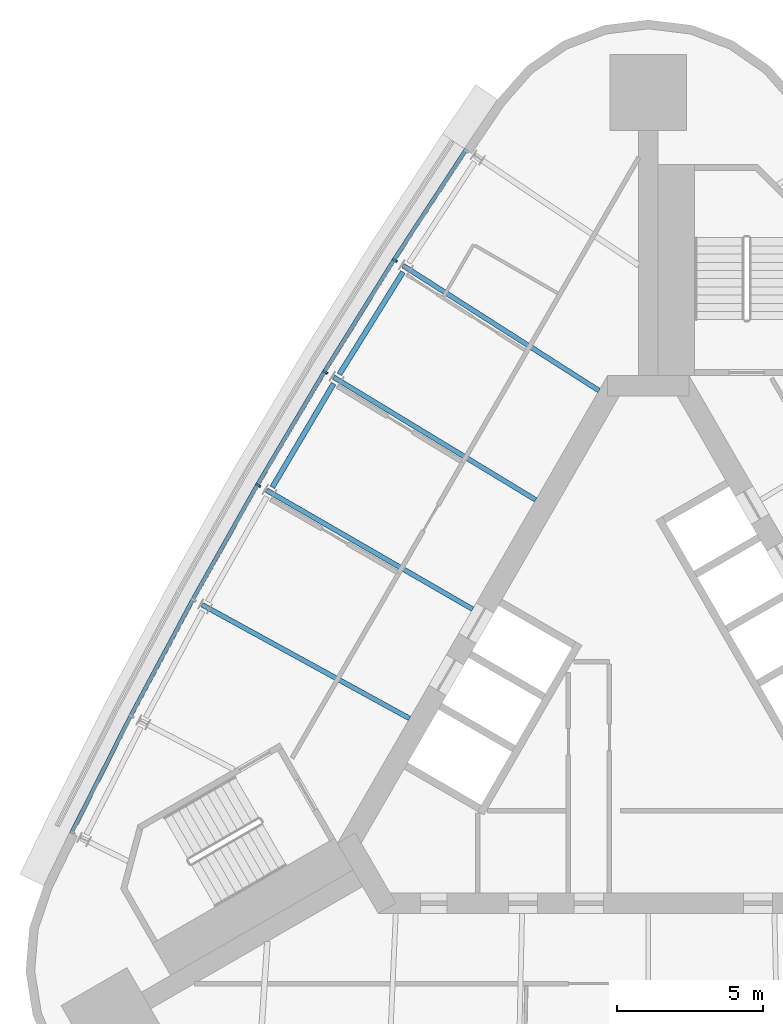
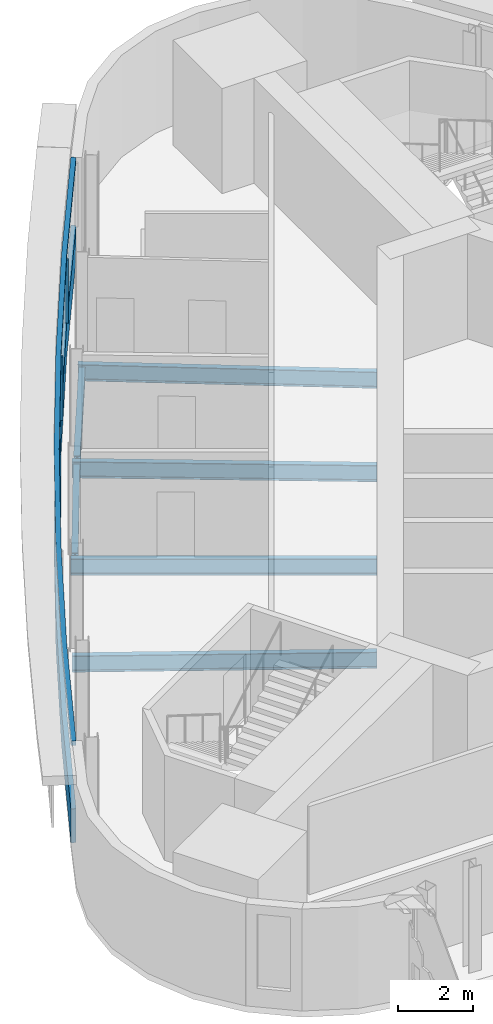
# One storey, part 6 of 14: 6 beams, 5 members, 1 element without a shape of its own.
"""IFC4 building model written with IfcOpenShell, lengths in metres."""

from ifc_helpers import new_model, si_unit, direction, frame, origin, origin_2d, place, context, subcontext, project, spatial, polyline, rectangle, i_section, outline, extrude, material, material_profile, profile_set, type_object, element, aggregate, save


model = new_model("IFC4")

# Units and contexts
model_context = context("Model", 3, precision=1e-05, world=origin(), true_north=direction((0.0, 1.0)))
body_context = subcontext(model_context, "Body", "Model", "MODEL_VIEW")
ifc_project = project(units=[si_unit("LENGTHUNIT", "METRE"), si_unit("AREAUNIT", "SQUARE_METRE"), si_unit("VOLUMEUNIT", "CUBIC_METRE"), si_unit("PLANEANGLEUNIT", "RADIAN"), si_unit("MASSUNIT", "GRAM", prefix="KILO")], contexts=[model_context])

# Site, building, storey
site_placement = place(None, origin())
site = spatial("IfcSite", under=ifc_project, at=site_placement, CompositionType="ELEMENT")
building_placement = place(site_placement, origin())
building = spatial("IfcBuilding", under=site, at=building_placement, Name="Noor Cloister Tower", CompositionType="ELEMENT")
storey_placement = place(building_placement, frame((0.0, 0.0, 218.39990234375)))
storey = spatial("IfcBuildingStorey", under=building, at=storey_placement, Name="L56", CompositionType="ELEMENT", Elevation=218.39990234375)

# Curtain wall, members
ifc_material_1 = material(Name="Aluminium 6063-T6 anodised", Category="aluminium")
curtain_wall_type = type_object("IfcCurtainWallType", Name="Ribbon curtain wall, upper tower CW5", PredefinedType="NOTDEFINED", material=ifc_material_1)
curtain_wall_placement = place(storey_placement, origin())
curtain_wall = element("IfcCurtainWall", 1, at=curtain_wall_placement, inside=storey, type_object=curtain_wall_type, Name="CW5 L56 NW run 1", PredefinedType="NOTDEFINED")
ifc_material_2 = material(Name="Aluminium 6063-T6 anodised", Category="aluminium")
member_type_1 = type_object("IfcMemberType", Name="Head transom CW5 150", PredefinedType="USERDEFINED", material=ifc_material_2)
member_1_placement = place(storey_placement, frame((0.0, 0.0, 3.150146484375)))
member_1 = element("IfcMember", 2, at=member_1_placement, type_object=member_type_1, Name="CW5 head transom", ObjectType="TRANSOM", PredefinedType="USERDEFINED", context=body_context, shape_type="SweptSolid", body=[
    extrude(outline(polyline([(-6.2822265625, 19.2041015625), (-8.744140625, 15.437255859375), (-11.122314453125, 11.6171875), (-13.415283203125, 7.745361328125), (-15.621826171875, 3.823486328125), (-17.7412109375, -0.14599609375), (-19.772216796875, -4.16162109375), (-19.647216796875, -4.224609375), (-17.616943359375, -0.210693359375), (-15.4990234375, 3.75634765625), (-13.2939453125, 7.67529296875), (-11.00244140625, 11.54443359375), (-8.626220703125, 15.362060546875), (-6.1650390625, 19.12744140625), (-6.2822265625, 19.2041015625)])), origin(), (0.0, 0.0, 1.0), 0.14990234375),
])
ifc_material_3 = material(Name="Aluminium 6063-T6 anodised", Category="aluminium")
ifc_material_profile_1 = material_profile(ifc_material_3, rectangle(XDim=0.179931640625, YDim=0.070068359375, at=origin_2d()), Name="180 x 70 mullion")
ifc_profile_set_1 = profile_set([ifc_material_profile_1], Name="Aluminium 6063-T6 anodised")
member_type_2 = type_object("IfcMemberType", Name="Mullion CW5 70 x 180", PredefinedType="MULLION", material=ifc_profile_set_1)
member_2_placement = place(storey_placement, frame((-8.659912109375, 15.383544921875, 1.10009765625), z_axis=(0.0, 0.0, 1.0), x_axis=(0.843050821041, -0.537833908509, 0.0)))
member_2 = element("IfcMember", 3, at=member_2_placement, type_object=member_type_2, Name="CW5 mullion 2", PredefinedType="MULLION", context=body_context, shape_type="SweptSolid", body=[
    extrude(rectangle(XDim=0.179931640625, YDim=0.070068359375, at=origin_2d()), origin(), (0.0, 0.0, 1.0), 2.050048828125),
])
member_3_placement = place(storey_placement, frame((-11.03662109375, 11.565185546875, 1.10009765625), z_axis=(0.0, 0.0, 1.0), x_axis=(0.854747474092, -0.519044078603, 0.0)))
member_3 = element("IfcMember", 4, at=member_3_placement, type_object=member_type_2, Name="CW5 mullion 3", PredefinedType="MULLION", context=body_context, shape_type="SweptSolid", body=[
    extrude(rectangle(XDim=0.179931640625, YDim=0.070068359375, at=origin_2d()), origin(), (0.0, 0.0, 1.0), 2.050048828125),
])
member_4_placement = place(storey_placement, frame((-13.32861328125, 7.6953125, 1.10009765625), z_axis=(0.0, 0.0, 1.0), x_axis=(0.866025403784, -0.5, 0.0)))
member_4 = element("IfcMember", 5, at=member_4_placement, type_object=member_type_2, Name="CW5 mullion 4", PredefinedType="MULLION", context=body_context, shape_type="SweptSolid", body=[
    extrude(rectangle(XDim=0.179931640625, YDim=0.070068359375, at=origin_2d()), origin(), (0.0, 0.0, 1.0), 2.050048828125),
])

# Beams
ifc_material_4 = material(Name="Steel ASTM A992 Gr 50", Category="steel")
ifc_material_profile_2 = material_profile(ifc_material_4, i_section(OverallWidth=0.166015625, OverallDepth=0.528076171875, WebThickness=0.009765625, FlangeThickness=0.013671875, FilletRadius=0.0126953125, at=origin_2d()), Name="W530x74")
ifc_profile_set_2 = profile_set([ifc_material_profile_2], Name="Steel ASTM A992 Gr 50")
beam_type_1 = type_object("IfcBeamType", Name="Radial beam W530x74", PredefinedType="BEAM", material=ifc_profile_set_2)
beam_1_placement = place(storey_placement, frame((-8.378173828125, 15.203857421875, -0.4638671875), z_axis=(0.843054264686, -0.537828510582, 0.0), x_axis=(0.537828510582, 0.843054264686, 0.0)))
element("IfcBeam", 6, at=beam_1_placement, inside=storey, type_object=beam_type_1, Name="Radial beam NW 02 L56", PredefinedType="BEAM", context=body_context, shape_type="SweptSolid", body=[
    extrude(i_section(OverallWidth=0.166015625, OverallDepth=0.528076171875, WebThickness=0.009765625, FlangeThickness=0.013671875, FilletRadius=0.0126953125, at=origin_2d()), origin(), (0.0, 0.0, 1.0), 7.93701171875),
])
beam_2_placement = place(storey_placement, frame((-10.751220703125, 11.391845703125, -0.4638671875), z_axis=(0.854748260186, -0.519042784084, 0.0), x_axis=(0.519042784084, 0.854748260186, 0.0)))
element("IfcBeam", 7, at=beam_2_placement, inside=storey, type_object=beam_type_1, Name="Radial beam NW 03 L56", PredefinedType="BEAM", context=body_context, shape_type="SweptSolid", body=[
    extrude(i_section(OverallWidth=0.166015625, OverallDepth=0.528076171875, WebThickness=0.009765625, FlangeThickness=0.013671875, FilletRadius=0.0126953125, at=origin_2d()), origin(), (0.0, 0.0, 1.0), 8.080322265625),
])
beam_3_placement = place(storey_placement, frame((-13.039306640625, 7.5283203125, -0.4638671875), z_axis=(0.866022026288, -0.50000584995, 0.0), x_axis=(0.50000584995, 0.866022026288, 0.0)))
element("IfcBeam", 8, at=beam_3_placement, inside=storey, type_object=beam_type_1, Name="Radial beam NW 04 L56", PredefinedType="BEAM", context=body_context, shape_type="SweptSolid", body=[
    extrude(i_section(OverallWidth=0.166015625, OverallDepth=0.528076171875, WebThickness=0.009765625, FlangeThickness=0.013671875, FilletRadius=0.0126953125, at=origin_2d()), origin(), (0.0, 0.0, 1.0), 8.12841796875),
])
beam_4_placement = place(storey_placement, frame((-15.2412109375, 3.614990234375, -0.4638671875), z_axis=(0.876874036138, -0.480720214623, 0.0), x_axis=(0.480720214623, 0.876874036138, 0.0)))
element("IfcBeam", 9, at=beam_4_placement, inside=storey, type_object=beam_type_1, Name="Radial beam NW 05 L56", PredefinedType="BEAM", context=body_context, shape_type="SweptSolid", body=[
    extrude(i_section(OverallWidth=0.166015625, OverallDepth=0.528076171875, WebThickness=0.009765625, FlangeThickness=0.013671875, FilletRadius=0.0126953125, at=origin_2d()), origin(), (0.0, 0.0, 1.0), 8.08056640625),
])

# Member
ifc_material_5 = material(Name="Aluminium 6063-T6 anodised", Category="aluminium")
member_type_3 = type_object("IfcMemberType", Name="Sill transom CW5 1100", PredefinedType="USERDEFINED", material=ifc_material_5)
member_5_placement = place(storey_placement, origin())
member_5 = element("IfcMember", 10, at=member_5_placement, type_object=member_type_3, Name="CW5 sill transom", ObjectType="TRANSOM", PredefinedType="USERDEFINED", context=body_context, shape_type="SweptSolid", body=[
    extrude(outline(polyline([(-6.2822265625, 19.2041015625), (-8.744140625, 15.437255859375), (-11.122314453125, 11.6171875), (-13.415283203125, 7.745361328125), (-15.621826171875, 3.823486328125), (-17.7412109375, -0.14599609375), (-19.772216796875, -4.16162109375), (-19.647216796875, -4.224609375), (-17.616943359375, -0.210693359375), (-15.4990234375, 3.75634765625), (-13.2939453125, 7.67529296875), (-11.00244140625, 11.54443359375), (-8.626220703125, 15.362060546875), (-6.1650390625, 19.12744140625), (-6.2822265625, 19.2041015625)])), origin(), (0.0, 0.0, 1.0), 1.10009765625),
])

aggregate(curtain_wall, [member_2, member_3, member_4, member_5, member_1])

# Beams
ifc_material_6 = material(Name="Steel ASTM A992 Gr 50", Category="steel")
ifc_material_profile_3 = material_profile(ifc_material_6, i_section(OverallWidth=0.177978515625, OverallDepth=0.406005859375, WebThickness=0.0078125, FlangeThickness=0.0126953125, FilletRadius=0.01025390625, at=origin_2d()), Name="W410x60")
ifc_profile_set_3 = profile_set([ifc_material_profile_3], Name="Steel ASTM A992 Gr 50")
beam_type_2 = type_object("IfcBeamType", Name="Spandrel beam W410x60", PredefinedType="SPANDREL", material=ifc_profile_set_3)
beam_5_placement = place(storey_placement, frame((-8.379150390625, 14.983154296875, -0.40283203125), z_axis=(-0.528440659826, -0.848970240375, 0.0), x_axis=(0.848970240375, -0.528440659826, 0.0)))
element("IfcBeam", 11, at=beam_5_placement, inside=storey, type_object=beam_type_2, Name="Spandrel beam NW 02 L56", PredefinedType="SPANDREL", context=body_context, shape_type="SweptSolid", body=[
    extrude(i_section(OverallWidth=0.177978515625, OverallDepth=0.406005859375, WebThickness=0.0078125, FlangeThickness=0.0126953125, FilletRadius=0.01025390625, at=origin_2d()), origin(), (0.0, 0.0, 1.0), 4.114501953125),
])
beam_6_placement = place(storey_placement, frame((-10.7470703125, 11.171142578125, -0.40283203125), z_axis=(-0.509548653359, -0.860441845716, 0.0), x_axis=(0.860441845716, -0.509548653359, 0.0)))
element("IfcBeam", 12, at=beam_6_placement, inside=storey, type_object=beam_type_2, Name="Spandrel beam NW 03 L56", PredefinedType="SPANDREL", context=body_context, shape_type="SweptSolid", body=[
    extrude(i_section(OverallWidth=0.177978515625, OverallDepth=0.406005859375, WebThickness=0.0078125, FlangeThickness=0.0126953125, FilletRadius=0.01025390625, at=origin_2d()), origin(), (0.0, 0.0, 1.0), 4.11474609375),
])

save(model, "model.ifc")
